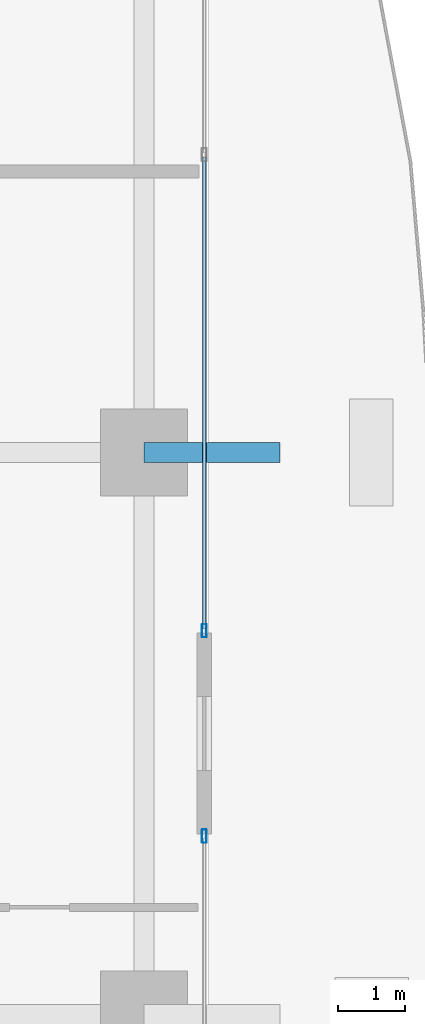
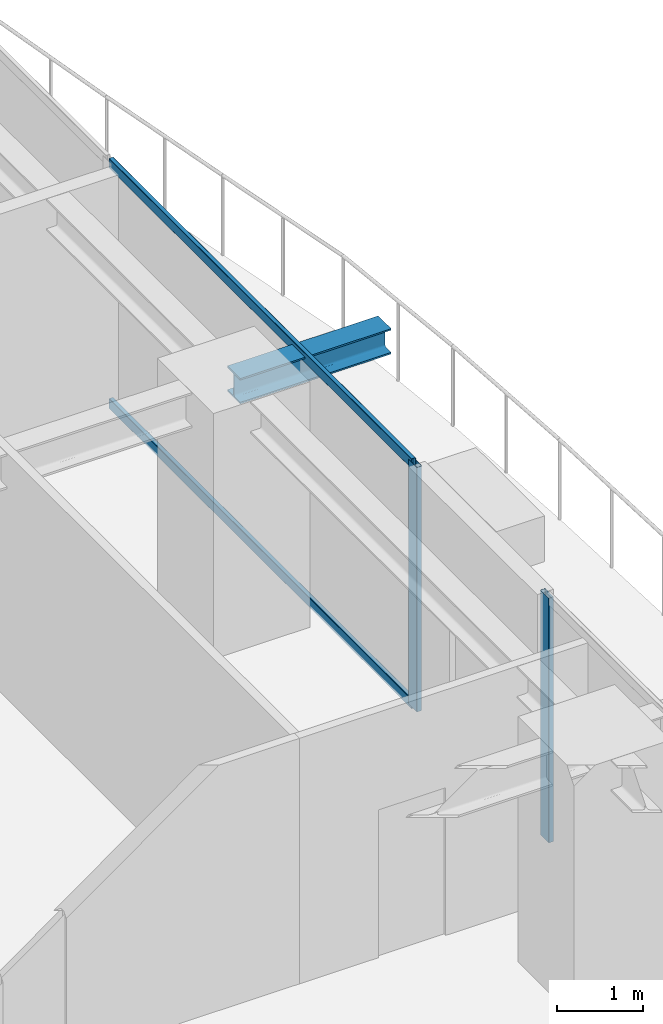
# One storey, part 13 of 33: 4 members, 1 beam, 2 elements without a shape of their own.
"""IFC4 building model written with IfcOpenShell, lengths in metres."""

from ifc_helpers import new_model, si_unit, direction, frame, origin, origin_2d, place, context, subcontext, project, spatial, hollow_rectangle, i_section, extrude, source, transform, mapped, material, layer, layer_set, material_profile, profile_set, type_object, element, aggregate, save


model = new_model("IFC4")

# Units and contexts
model_context = context("Model", 3, precision=1e-05, world=origin(), true_north=direction((0.0, 1.0)))
body_context = subcontext(model_context, "Body", "Model", "MODEL_VIEW")
ifc_project = project(units=[si_unit("LENGTHUNIT", "METRE"), si_unit("AREAUNIT", "SQUARE_METRE"), si_unit("VOLUMEUNIT", "CUBIC_METRE"), si_unit("PLANEANGLEUNIT", "RADIAN"), si_unit("MASSUNIT", "GRAM", prefix="KILO")], contexts=[model_context])

# Site, building, storey
site_placement = place(None, origin())
site = spatial("IfcSite", under=ifc_project, at=site_placement, CompositionType="ELEMENT")
building_placement = place(site_placement, origin())
building = spatial("IfcBuilding", under=site, at=building_placement, Name="Serunith Strait Residences", CompositionType="ELEMENT")
storey_placement = place(building_placement, frame((0.0, 0.0, 165.14990234375)))
storey = spatial("IfcBuildingStorey", under=building, at=storey_placement, Name="L41", CompositionType="ELEMENT", Elevation=165.14990234375)

# Beam
ifc_material_1 = material(Name="Steel S355J2", Category="steel")
ifc_material_profile_1 = material_profile(ifc_material_1, i_section(OverallWidth=0.300048828125, OverallDepth=0.360107421875, WebThickness=0.012451171875, FlangeThickness=0.0224609375, FilletRadius=0.027099609375, at=origin_2d()), Name="HEB 360")
ifc_profile_set_1 = profile_set([ifc_material_profile_1], Name="Steel S355J2")
beam_type = type_object("IfcBeamType", Name="BM-HEB360", PredefinedType="BEAM", material=ifc_profile_set_1)
shared_shape_1 = source(origin(), body_context, "Body", "SweptSolid", [
    extrude(i_section(OverallWidth=0.300048828125, OverallDepth=0.360107421875, WebThickness=0.012451171875, FlangeThickness=0.0224609375, FilletRadius=0.027099609375, at=origin_2d()), origin(), (0.0, 0.0, 1.0), 2.02978515625),
])
beam_placement = place(storey_placement, frame((56.10009765625, 29.39990234375, 3.277099609375), z_axis=(1.0, 0.0, 0.0), x_axis=(0.0, 1.0, 0.0)))
element("IfcBeam", 1, at=beam_placement, inside=storey, type_object=beam_type, Name="L42 Cantilevered Balcony Rib TC-E3", PredefinedType="BEAM", context=body_context, shape_type="MappedRepresentation", body=[
    mapped(shared_shape_1, transform((0.0, 0.0, 0.0), scale=1.0)),
])

# Curtain wall, member
ifc_material_2 = material(Name="Pale-Champagne Anodised Aluminium", Category="aluminium")
ifc_layer = layer(ifc_material_2, 0.199951171875, Name="Pale-Champagne Anodised Aluminium")
ifc_layer_set = layer_set([ifc_layer], Name="Pale-Champagne Anodised Aluminium")
curtain_wall_type = type_object("IfcCurtainWallType", Name="CW-SYS2", PredefinedType="NOTDEFINED", material=ifc_layer_set)
curtain_wall_1_placement = place(storey_placement, origin())
curtain_wall_1 = element("IfcCurtainWall", 2, at=curtain_wall_1_placement, inside=storey, type_object=curtain_wall_type, Name="L41 E Unitised Fritted Curtain Wall", PredefinedType="NOTDEFINED")
ifc_material_profile_2 = material_profile(ifc_material_2, hollow_rectangle(XDim=0.070068359375, YDim=0.199951171875, WallThickness=0.00390625, InnerFilletRadius=0.006103515625, OuterFilletRadius=0.010009765625, at=origin_2d()), Name="ALU 200x70x4")
ifc_profile_set_2 = profile_set([ifc_material_profile_2], Name="Pale-Champagne Anodised Aluminium")
member_type_1 = type_object("IfcMemberType", Name="CW-SYS2-MULL", PredefinedType="MULLION", material=ifc_profile_set_2)
shared_shape_2 = source(origin(), body_context, "Body", "SweptSolid", [
    extrude(hollow_rectangle(XDim=0.070068359375, YDim=0.199951171875, WallThickness=0.00390625, InnerFilletRadius=0.006103515625, OuterFilletRadius=0.010009765625, at=origin_2d()), origin(), (0.0, 0.0, 1.0), 3.47509765625),
])
member_1_placement = place(storey_placement, frame((57.0, 23.6650390625, 0.0), z_axis=(0.0, 0.0, 1.0), x_axis=(-1.0, 0.0, 0.0)))
member_1 = element("IfcMember", 3, at=member_1_placement, type_object=member_type_1, Name="CW-2 mullion 3", PredefinedType="MULLION", context=body_context, shape_type="MappedRepresentation", body=[
    mapped(shared_shape_2, transform((0.0, 0.0, 0.0), scale=1.0)),
])
aggregate(curtain_wall_1, [member_1])

# Curtain wall, members
curtain_wall_2_placement = place(storey_placement, origin())
curtain_wall_2 = element("IfcCurtainWall", 4, at=curtain_wall_2_placement, inside=storey, type_object=curtain_wall_type, Name="L41 E Unitised Fritted Curtain Wall", PredefinedType="NOTDEFINED")
member_2_placement = place(storey_placement, frame((57.0, 26.735107421875, 0.0), z_axis=(0.0, 0.0, 1.0), x_axis=(-1.0, 0.0, 0.0)))
member_2 = element("IfcMember", 5, at=member_2_placement, type_object=member_type_1, Name="CW-2 mullion 1", PredefinedType="MULLION", context=body_context, shape_type="MappedRepresentation", body=[
    mapped(shared_shape_2, transform((0.0, 0.0, 0.0), scale=1.0)),
])
ifc_material_profile_3 = material_profile(ifc_material_2, hollow_rectangle(XDim=0.06005859375, YDim=0.139892578125, WallThickness=0.00341796875, InnerFilletRadius=0.00537109375, OuterFilletRadius=0.0087890625, at=origin_2d()), Name="ALU 140x60x3.5")
ifc_profile_set_3 = profile_set([ifc_material_profile_3], Name="Pale-Champagne Anodised Aluminium")
member_type_2 = type_object("IfcMemberType", Name="CW-SYS2-TRAN", PredefinedType="USERDEFINED", material=ifc_profile_set_3)
shared_shape_3 = source(origin(), body_context, "Body", "SweptSolid", [
    extrude(hollow_rectangle(XDim=0.06005859375, YDim=0.139892578125, WallThickness=0.00341796875, InnerFilletRadius=0.00537109375, OuterFilletRadius=0.0087890625, at=origin_2d()), origin(), (0.0, 0.0, 1.0), 7.044921875),
])
member_3_placement = place(storey_placement, frame((57.0, 26.77001953125, 0.030029296875), z_axis=(0.0, 1.0, 0.0), x_axis=(-1.0, 0.0, 0.0)))
member_3 = element("IfcMember", 6, at=member_3_placement, type_object=member_type_2, Name="CW-2 transom 1.1", ObjectType="TRANSOM", PredefinedType="USERDEFINED", context=body_context, shape_type="MappedRepresentation", body=[
    mapped(shared_shape_3, transform((0.0, 0.0, 0.0), scale=1.0)),
])
member_4_placement = place(storey_placement, frame((57.0, 26.77001953125, 3.445068359375), z_axis=(0.0, 1.0, 0.0), x_axis=(-1.0, 0.0, 0.0)))
member_4 = element("IfcMember", 7, at=member_4_placement, type_object=member_type_2, Name="CW-2 transom 1.2", ObjectType="TRANSOM", PredefinedType="USERDEFINED", context=body_context, shape_type="MappedRepresentation", body=[
    mapped(shared_shape_3, transform((0.0, 0.0, 0.0), scale=1.0)),
])
aggregate(curtain_wall_2, [member_2, member_3, member_4])

save(model, "model.ifc")
